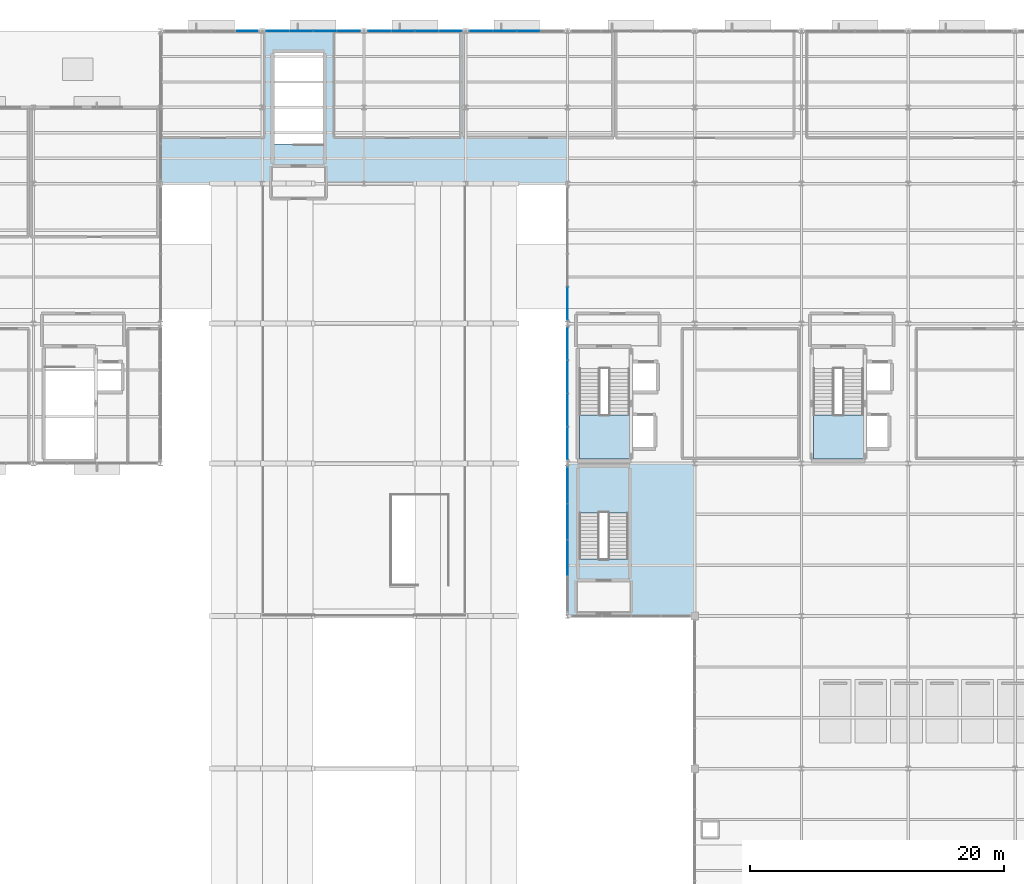
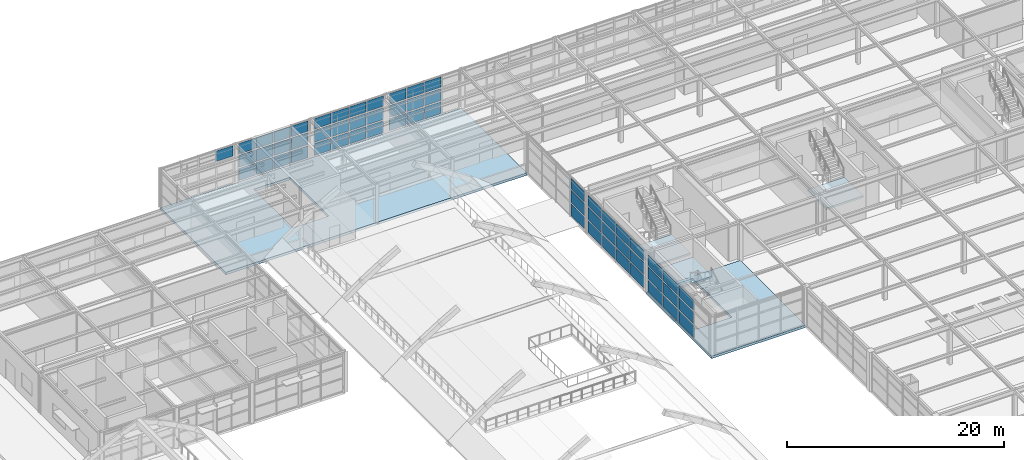
# One storey, part 50 of 82: 58 plates, 5 slabs, 10 elements without a shape of their own.
"""IFC4 building model written with IfcOpenShell, lengths in metres."""

from ifc_helpers import new_model, si_unit, direction, frame, origin, origin_2d, place, context, subcontext, project, spatial, polyline, rectangle, outline, extrude, material, layer, layer_set, type_object, element, aggregate, save


model = new_model("IFC4")

# Units and contexts
model_context = context("Model", 3, precision=1e-05, world=origin(), true_north=direction((0.0, 1.0)))
body_context = subcontext(model_context, "Body", "Model", "MODEL_VIEW")
ifc_project = project(units=[si_unit("LENGTHUNIT", "METRE"), si_unit("AREAUNIT", "SQUARE_METRE"), si_unit("VOLUMEUNIT", "CUBIC_METRE"), si_unit("PLANEANGLEUNIT", "RADIAN"), si_unit("MASSUNIT", "GRAM", prefix="KILO")], contexts=[model_context])

# Site, building, storey
site_placement = place(None, origin())
site = spatial("IfcSite", under=ifc_project, at=site_placement, CompositionType="ELEMENT")
building_placement = place(site_placement, origin())
building = spatial("IfcBuilding", under=site, at=building_placement, Name="Sitalva Quay Ferry Terminal", CompositionType="ELEMENT")
storey_placement = place(building_placement, frame((0.0, 0.0, 5.39990234375)))
storey = spatial("IfcBuildingStorey", under=building, at=storey_placement, Name="L02", CompositionType="ELEMENT", Elevation=5.39990234375)

# Curtain wall, plates
ifc_material_1 = material(Name="Anodised Aluminium & Low-E Glazing", Category="aluminium")
ifc_layer_1 = layer(ifc_material_1, 0.159912109375)
ifc_layer_set_1 = layer_set([ifc_layer_1], Name="Anodised Aluminium & Low-E Glazing")
curtain_wall_type_1 = type_object("IfcCurtainWallType", Name="CW_Podium_Stick", PredefinedType="USERDEFINED", material=ifc_layer_set_1)
curtain_wall_1_placement = place(storey_placement, origin())
curtain_wall_1 = element("IfcCurtainWall", 1, at=curtain_wall_1_placement, inside=storey, type_object=curtain_wall_type_1, Name="L02 spine west clerestory over V1 eaves (CW-L02-085)", ObjectType="CURTAIN_WALL", PredefinedType="USERDEFINED")
ifc_material_2 = material(Name="Laminated Low-E Double Glazing", Category="glass")
ifc_layer_2 = layer(ifc_material_2, 0.028076171875)
ifc_layer_set_2 = layer_set([ifc_layer_2], Name="Laminated Low-E Double Glazing")
plate_type_1 = type_object("IfcPlateType", Name="Panel_LowE_IGU_28", PredefinedType="CURTAIN_PANEL", material=ifc_layer_set_2)
plate_1_placement = place(storey_placement, frame((74.0, 70.580078125, 0.1552734375), z_axis=(0.0, 0.0, 1.0), x_axis=(0.0, 1.0, 0.0)))
plate_1 = element("IfcPlate", 2, at=plate_1_placement, type_object=plate_type_1, Name="CW-L02-085-P1-0", PredefinedType="CURTAIN_PANEL", context=body_context, shape_type="SweptSolid", body=[
    extrude(rectangle(XDim=2.764892578125, YDim=0.028076171875, at=origin_2d()), origin(), (0.0, 0.0, 1.0), 1.344970703125),
])
plate_2_placement = place(storey_placement, frame((74.0, 70.580078125, 1.6552734375), z_axis=(0.0, 0.0, 1.0), x_axis=(0.0, 1.0, 0.0)))
plate_2 = element("IfcPlate", 3, at=plate_2_placement, type_object=plate_type_1, Name="CW-L02-085-P1-1", PredefinedType="CURTAIN_PANEL", context=body_context, shape_type="SweptSolid", body=[
    extrude(rectangle(XDim=2.764892578125, YDim=0.028076171875, at=origin_2d()), origin(), (0.0, 0.0, 1.0), 1.344970703125),
])
plate_3_placement = place(storey_placement, frame((74.0, 70.580078125, 3.155029296875), z_axis=(0.0, 0.0, 1.0), x_axis=(0.0, 1.0, 0.0)))
plate_3 = element("IfcPlate", 4, at=plate_3_placement, type_object=plate_type_1, Name="CW-L02-085-P1-2", PredefinedType="CURTAIN_PANEL", context=body_context, shape_type="SweptSolid", body=[
    extrude(rectangle(XDim=2.764892578125, YDim=0.028076171875, at=origin_2d()), origin(), (0.0, 0.0, 1.0), 1.18994140625),
])
plate_4_placement = place(storey_placement, frame((74.0, 73.419921875, 0.1552734375), z_axis=(0.0, 0.0, 1.0), x_axis=(0.0, 1.0, 0.0)))
plate_4 = element("IfcPlate", 5, at=plate_4_placement, type_object=plate_type_1, Name="CW-L02-085-P2-0", PredefinedType="CURTAIN_PANEL", context=body_context, shape_type="SweptSolid", body=[
    extrude(rectangle(XDim=2.764892578125, YDim=0.028076171875, at=origin_2d()), origin(), (0.0, 0.0, 1.0), 1.344970703125),
])
plate_5_placement = place(storey_placement, frame((74.0, 73.419921875, 1.6552734375), z_axis=(0.0, 0.0, 1.0), x_axis=(0.0, 1.0, 0.0)))
plate_5 = element("IfcPlate", 6, at=plate_5_placement, type_object=plate_type_1, Name="CW-L02-085-P2-1", PredefinedType="CURTAIN_PANEL", context=body_context, shape_type="SweptSolid", body=[
    extrude(rectangle(XDim=2.764892578125, YDim=0.028076171875, at=origin_2d()), origin(), (0.0, 0.0, 1.0), 1.344970703125),
])
plate_6_placement = place(storey_placement, frame((74.0, 73.419921875, 3.155029296875), z_axis=(0.0, 0.0, 1.0), x_axis=(0.0, 1.0, 0.0)))
plate_6 = element("IfcPlate", 7, at=plate_6_placement, type_object=plate_type_1, Name="CW-L02-085-P2-2", PredefinedType="CURTAIN_PANEL", context=body_context, shape_type="SweptSolid", body=[
    extrude(rectangle(XDim=2.764892578125, YDim=0.028076171875, at=origin_2d()), origin(), (0.0, 0.0, 1.0), 1.18994140625),
])
plate_7_placement = place(storey_placement, frame((74.0, 76.260009765625, 0.1552734375), z_axis=(0.0, 0.0, 1.0), x_axis=(0.0, 1.0, 0.0)))
plate_7 = element("IfcPlate", 8, at=plate_7_placement, type_object=plate_type_1, Name="CW-L02-085-P3-0", PredefinedType="CURTAIN_PANEL", context=body_context, shape_type="SweptSolid", body=[
    extrude(rectangle(XDim=2.764892578125, YDim=0.028076171875, at=origin_2d()), origin(), (0.0, 0.0, 1.0), 1.344970703125),
])
plate_8_placement = place(storey_placement, frame((74.0, 76.260009765625, 1.6552734375), z_axis=(0.0, 0.0, 1.0), x_axis=(0.0, 1.0, 0.0)))
plate_8 = element("IfcPlate", 9, at=plate_8_placement, type_object=plate_type_1, Name="CW-L02-085-P3-1", PredefinedType="CURTAIN_PANEL", context=body_context, shape_type="SweptSolid", body=[
    extrude(rectangle(XDim=2.764892578125, YDim=0.028076171875, at=origin_2d()), origin(), (0.0, 0.0, 1.0), 1.344970703125),
])
plate_9_placement = place(storey_placement, frame((74.0, 76.260009765625, 3.155029296875), z_axis=(0.0, 0.0, 1.0), x_axis=(0.0, 1.0, 0.0)))
plate_9 = element("IfcPlate", 10, at=plate_9_placement, type_object=plate_type_1, Name="CW-L02-085-P3-2", PredefinedType="CURTAIN_PANEL", context=body_context, shape_type="SweptSolid", body=[
    extrude(rectangle(XDim=2.764892578125, YDim=0.028076171875, at=origin_2d()), origin(), (0.0, 0.0, 1.0), 1.18994140625),
])
aggregate(curtain_wall_1, [plate_1, plate_2, plate_3, plate_4, plate_5, plate_6, plate_7, plate_8, plate_9])

ifc_material_3 = material(Name="Anodised Aluminium & Low-E Glazing", Category="aluminium")
ifc_layer_3 = layer(ifc_material_3, 0.159912109375)
ifc_layer_set_3 = layer_set([ifc_layer_3], Name="Anodised Aluminium & Low-E Glazing")
curtain_wall_type_2 = type_object("IfcCurtainWallType", Name="CW_Office_Unitised", PredefinedType="USERDEFINED", material=ifc_layer_set_3)
curtain_wall_2_placement = place(storey_placement, origin())
curtain_wall_2 = element("IfcCurtainWall", 11, at=curtain_wall_2_placement, inside=storey, type_object=curtain_wall_type_2, Name="L02 east wing west glazing overlooking V1 (CW-L02-110)", ObjectType="CURTAIN_WALL", PredefinedType="USERDEFINED")
ifc_material_4 = material(Name="Solar-Control Low-E Glazing", Category="glass")
ifc_layer_4 = layer(ifc_material_4, 0.031982421875)
ifc_layer_set_4 = layer_set([ifc_layer_4], Name="Solar-Control Low-E Glazing")
plate_type_2 = type_object("IfcPlateType", Name="Panel_Solar_IGU_32", PredefinedType="CURTAIN_PANEL", material=ifc_layer_set_4)
plate_10_placement = place(storey_placement, frame((74.0, 79.5849609375, 0.150146484375), z_axis=(0.0, 0.0, 1.0), x_axis=(0.0, 1.0, 0.0)))
plate_10 = element("IfcPlate", 12, at=plate_10_placement, type_object=plate_type_2, Name="CW-L02-110-P0-0", PredefinedType="CURTAIN_PANEL", context=body_context, shape_type="SweptSolid", body=[
    extrude(rectangle(XDim=2.534912109375, YDim=0.031982421875, at=origin_2d()), origin(), (0.0, 0.0, 1.0), 1.35009765625),
])
plate_11_placement = place(storey_placement, frame((74.0, 79.5849609375, 1.650146484375), z_axis=(0.0, 0.0, 1.0), x_axis=(0.0, 1.0, 0.0)))
plate_11 = element("IfcPlate", 13, at=plate_11_placement, type_object=plate_type_2, Name="CW-L02-110-P0-1", PredefinedType="CURTAIN_PANEL", context=body_context, shape_type="SweptSolid", body=[
    extrude(rectangle(XDim=2.534912109375, YDim=0.031982421875, at=origin_2d()), origin(), (0.0, 0.0, 1.0), 1.35009765625),
])
plate_12_placement = place(storey_placement, frame((74.0, 79.5849609375, 3.14990234375), z_axis=(0.0, 0.0, 1.0), x_axis=(0.0, 1.0, 0.0)))
plate_12 = element("IfcPlate", 14, at=plate_12_placement, type_object=plate_type_2, Name="CW-L02-110-P0-2", PredefinedType="CURTAIN_PANEL", context=body_context, shape_type="SweptSolid", body=[
    extrude(rectangle(XDim=2.534912109375, YDim=0.031982421875, at=origin_2d()), origin(), (0.0, 0.0, 1.0), 1.199951171875),
])
plate_13_placement = place(storey_placement, frame((74.0, 82.195068359375, 0.150146484375), z_axis=(0.0, 0.0, 1.0), x_axis=(0.0, 1.0, 0.0)))
plate_13 = element("IfcPlate", 15, at=plate_13_placement, type_object=plate_type_2, Name="CW-L02-110-P1-0", PredefinedType="CURTAIN_PANEL", context=body_context, shape_type="SweptSolid", body=[
    extrude(rectangle(XDim=2.534912109375, YDim=0.031982421875, at=origin_2d()), origin(), (0.0, 0.0, 1.0), 1.35009765625),
])
plate_14_placement = place(storey_placement, frame((74.0, 82.195068359375, 1.650146484375), z_axis=(0.0, 0.0, 1.0), x_axis=(0.0, 1.0, 0.0)))
plate_14 = element("IfcPlate", 16, at=plate_14_placement, type_object=plate_type_2, Name="CW-L02-110-P1-1", PredefinedType="CURTAIN_PANEL", context=body_context, shape_type="SweptSolid", body=[
    extrude(rectangle(XDim=2.534912109375, YDim=0.031982421875, at=origin_2d()), origin(), (0.0, 0.0, 1.0), 1.35009765625),
])
plate_15_placement = place(storey_placement, frame((74.0, 82.195068359375, 3.14990234375), z_axis=(0.0, 0.0, 1.0), x_axis=(0.0, 1.0, 0.0)))
plate_15 = element("IfcPlate", 17, at=plate_15_placement, type_object=plate_type_2, Name="CW-L02-110-P1-2", PredefinedType="CURTAIN_PANEL", context=body_context, shape_type="SweptSolid", body=[
    extrude(rectangle(XDim=2.534912109375, YDim=0.031982421875, at=origin_2d()), origin(), (0.0, 0.0, 1.0), 1.199951171875),
])
plate_16_placement = place(storey_placement, frame((74.0, 84.804931640625, 0.150146484375), z_axis=(0.0, 0.0, 1.0), x_axis=(0.0, 1.0, 0.0)))
plate_16 = element("IfcPlate", 18, at=plate_16_placement, type_object=plate_type_2, Name="CW-L02-110-P2-0", PredefinedType="CURTAIN_PANEL", context=body_context, shape_type="SweptSolid", body=[
    extrude(rectangle(XDim=2.534912109375, YDim=0.031982421875, at=origin_2d()), origin(), (0.0, 0.0, 1.0), 1.35009765625),
])
plate_17_placement = place(storey_placement, frame((74.0, 84.804931640625, 1.650146484375), z_axis=(0.0, 0.0, 1.0), x_axis=(0.0, 1.0, 0.0)))
plate_17 = element("IfcPlate", 19, at=plate_17_placement, type_object=plate_type_2, Name="CW-L02-110-P2-1", PredefinedType="CURTAIN_PANEL", context=body_context, shape_type="SweptSolid", body=[
    extrude(rectangle(XDim=2.534912109375, YDim=0.031982421875, at=origin_2d()), origin(), (0.0, 0.0, 1.0), 1.35009765625),
])
plate_18_placement = place(storey_placement, frame((74.0, 84.804931640625, 3.14990234375), z_axis=(0.0, 0.0, 1.0), x_axis=(0.0, 1.0, 0.0)))
plate_18 = element("IfcPlate", 20, at=plate_18_placement, type_object=plate_type_2, Name="CW-L02-110-P2-2", PredefinedType="CURTAIN_PANEL", context=body_context, shape_type="SweptSolid", body=[
    extrude(rectangle(XDim=2.534912109375, YDim=0.031982421875, at=origin_2d()), origin(), (0.0, 0.0, 1.0), 1.199951171875),
])
plate_19_placement = place(storey_placement, frame((74.0, 87.4150390625, 0.150146484375), z_axis=(0.0, 0.0, 1.0), x_axis=(0.0, 1.0, 0.0)))
plate_19 = element("IfcPlate", 21, at=plate_19_placement, type_object=plate_type_2, Name="CW-L02-110-P3-0", PredefinedType="CURTAIN_PANEL", context=body_context, shape_type="SweptSolid", body=[
    extrude(rectangle(XDim=2.534912109375, YDim=0.031982421875, at=origin_2d()), origin(), (0.0, 0.0, 1.0), 1.35009765625),
])
plate_20_placement = place(storey_placement, frame((74.0, 87.4150390625, 1.650146484375), z_axis=(0.0, 0.0, 1.0), x_axis=(0.0, 1.0, 0.0)))
plate_20 = element("IfcPlate", 22, at=plate_20_placement, type_object=plate_type_2, Name="CW-L02-110-P3-1", PredefinedType="CURTAIN_PANEL", context=body_context, shape_type="SweptSolid", body=[
    extrude(rectangle(XDim=2.534912109375, YDim=0.031982421875, at=origin_2d()), origin(), (0.0, 0.0, 1.0), 1.35009765625),
])
plate_21_placement = place(storey_placement, frame((74.0, 87.4150390625, 3.14990234375), z_axis=(0.0, 0.0, 1.0), x_axis=(0.0, 1.0, 0.0)))
plate_21 = element("IfcPlate", 23, at=plate_21_placement, type_object=plate_type_2, Name="CW-L02-110-P3-2", PredefinedType="CURTAIN_PANEL", context=body_context, shape_type="SweptSolid", body=[
    extrude(rectangle(XDim=2.534912109375, YDim=0.031982421875, at=origin_2d()), origin(), (0.0, 0.0, 1.0), 1.199951171875),
])
aggregate(curtain_wall_2, [plate_10, plate_11, plate_12, plate_13, plate_14, plate_15, plate_16, plate_17, plate_18, plate_19, plate_20, plate_21])

curtain_wall_3_placement = place(storey_placement, origin())
curtain_wall_3 = element("IfcCurtainWall", 24, at=curtain_wall_3_placement, inside=storey, type_object=curtain_wall_type_2, Name="L02 east wing west glazing overlooking V1 (CW-L02-112)", ObjectType="CURTAIN_WALL", PredefinedType="USERDEFINED")
plate_22_placement = place(storey_placement, frame((74.0, 90.5849609375, 0.150146484375), z_axis=(0.0, 0.0, 1.0), x_axis=(0.0, 1.0, 0.0)))
plate_22 = element("IfcPlate", 25, at=plate_22_placement, type_object=plate_type_2, Name="CW-L02-112-P0-0", PredefinedType="CURTAIN_PANEL", context=body_context, shape_type="SweptSolid", body=[
    extrude(rectangle(XDim=2.534912109375, YDim=0.031982421875, at=origin_2d()), origin(), (0.0, 0.0, 1.0), 1.35009765625),
])
plate_23_placement = place(storey_placement, frame((74.0, 90.5849609375, 1.650146484375), z_axis=(0.0, 0.0, 1.0), x_axis=(0.0, 1.0, 0.0)))
plate_23 = element("IfcPlate", 26, at=plate_23_placement, type_object=plate_type_2, Name="CW-L02-112-P0-1", PredefinedType="CURTAIN_PANEL", context=body_context, shape_type="SweptSolid", body=[
    extrude(rectangle(XDim=2.534912109375, YDim=0.031982421875, at=origin_2d()), origin(), (0.0, 0.0, 1.0), 1.35009765625),
])
plate_24_placement = place(storey_placement, frame((74.0, 90.5849609375, 3.14990234375), z_axis=(0.0, 0.0, 1.0), x_axis=(0.0, 1.0, 0.0)))
plate_24 = element("IfcPlate", 27, at=plate_24_placement, type_object=plate_type_2, Name="CW-L02-112-P0-2", PredefinedType="CURTAIN_PANEL", context=body_context, shape_type="SweptSolid", body=[
    extrude(rectangle(XDim=2.534912109375, YDim=0.031982421875, at=origin_2d()), origin(), (0.0, 0.0, 1.0), 1.199951171875),
])
aggregate(curtain_wall_3, [plate_22, plate_23, plate_24])

# Curtain wall, plate
curtain_wall_4_placement = place(storey_placement, origin())
curtain_wall_4 = element("IfcCurtainWall", 28, at=curtain_wall_4_placement, inside=storey, type_object=curtain_wall_type_2, Name="L02 forecourt horizontal curtain wall (CW-L02-115)", ObjectType="CURTAIN_WALL", PredefinedType="USERDEFINED")
plate_25_placement = place(storey_placement, frame((48.7900390625, 112.0, 3.11669921875), z_axis=(0.0, 0.0, 1.0), x_axis=(1.0, 0.0, 0.0)))
plate_25 = element("IfcPlate", 29, at=plate_25_placement, type_object=plate_type_2, Name="CW-L02-115-P3-2", PredefinedType="CURTAIN_PANEL", context=body_context, shape_type="SweptSolid", body=[
    extrude(rectangle(XDim=1.784912109375, YDim=0.031982421875, at=origin_2d()), origin(), (0.0, 0.0, 1.0), 1.183349609375),
])
aggregate(curtain_wall_4, [plate_25])

# Curtain wall, plates
curtain_wall_5_placement = place(storey_placement, origin())
curtain_wall_5 = element("IfcCurtainWall", 30, at=curtain_wall_5_placement, inside=storey, type_object=curtain_wall_type_2, Name="L02 forecourt horizontal curtain wall (CW-L02-116)", ObjectType="CURTAIN_WALL", PredefinedType="USERDEFINED")
plate_26_placement = place(storey_placement, frame((51.2099609375, 112.0, 1.63330078125), z_axis=(0.0, 0.0, 1.0), x_axis=(1.0, 0.0, 0.0)))
plate_26 = element("IfcPlate", 31, at=plate_26_placement, type_object=plate_type_2, Name="CW-L02-116-P0-1", PredefinedType="CURTAIN_PANEL", context=body_context, shape_type="SweptSolid", body=[
    extrude(rectangle(XDim=1.784912109375, YDim=0.031982421875, at=origin_2d()), origin(), (0.0, 0.0, 1.0), 1.333251953125),
])
plate_27_placement = place(storey_placement, frame((51.2099609375, 112.0, 3.11669921875), z_axis=(0.0, 0.0, 1.0), x_axis=(1.0, 0.0, 0.0)))
plate_27 = element("IfcPlate", 32, at=plate_27_placement, type_object=plate_type_2, Name="CW-L02-116-P0-2", PredefinedType="CURTAIN_PANEL", context=body_context, shape_type="SweptSolid", body=[
    extrude(rectangle(XDim=1.784912109375, YDim=0.031982421875, at=origin_2d()), origin(), (0.0, 0.0, 1.0), 1.183349609375),
])
plate_28_placement = place(storey_placement, frame((53.070068359375, 112.0, 1.63330078125), z_axis=(0.0, 0.0, 1.0), x_axis=(1.0, 0.0, 0.0)))
plate_28 = element("IfcPlate", 33, at=plate_28_placement, type_object=plate_type_2, Name="CW-L02-116-P1-1", PredefinedType="CURTAIN_PANEL", context=body_context, shape_type="SweptSolid", body=[
    extrude(rectangle(XDim=1.784912109375, YDim=0.031982421875, at=origin_2d()), origin(), (0.0, 0.0, 1.0), 1.333251953125),
])
plate_29_placement = place(storey_placement, frame((53.070068359375, 112.0, 3.11669921875), z_axis=(0.0, 0.0, 1.0), x_axis=(1.0, 0.0, 0.0)))
plate_29 = element("IfcPlate", 34, at=plate_29_placement, type_object=plate_type_2, Name="CW-L02-116-P1-2", PredefinedType="CURTAIN_PANEL", context=body_context, shape_type="SweptSolid", body=[
    extrude(rectangle(XDim=1.784912109375, YDim=0.031982421875, at=origin_2d()), origin(), (0.0, 0.0, 1.0), 1.183349609375),
])
plate_30_placement = place(storey_placement, frame((54.929931640625, 112.0, 1.63330078125), z_axis=(0.0, 0.0, 1.0), x_axis=(1.0, 0.0, 0.0)))
plate_30 = element("IfcPlate", 35, at=plate_30_placement, type_object=plate_type_2, Name="CW-L02-116-P2-1", PredefinedType="CURTAIN_PANEL", context=body_context, shape_type="SweptSolid", body=[
    extrude(rectangle(XDim=1.784912109375, YDim=0.031982421875, at=origin_2d()), origin(), (0.0, 0.0, 1.0), 1.333251953125),
])
plate_31_placement = place(storey_placement, frame((54.929931640625, 112.0, 3.11669921875), z_axis=(0.0, 0.0, 1.0), x_axis=(1.0, 0.0, 0.0)))
plate_31 = element("IfcPlate", 36, at=plate_31_placement, type_object=plate_type_2, Name="CW-L02-116-P2-2", PredefinedType="CURTAIN_PANEL", context=body_context, shape_type="SweptSolid", body=[
    extrude(rectangle(XDim=1.784912109375, YDim=0.031982421875, at=origin_2d()), origin(), (0.0, 0.0, 1.0), 1.183349609375),
])
plate_32_placement = place(storey_placement, frame((56.7900390625, 112.0, 1.63330078125), z_axis=(0.0, 0.0, 1.0), x_axis=(1.0, 0.0, 0.0)))
plate_32 = element("IfcPlate", 37, at=plate_32_placement, type_object=plate_type_2, Name="CW-L02-116-P3-1", PredefinedType="CURTAIN_PANEL", context=body_context, shape_type="SweptSolid", body=[
    extrude(rectangle(XDim=1.784912109375, YDim=0.031982421875, at=origin_2d()), origin(), (0.0, 0.0, 1.0), 1.333251953125),
])
plate_33_placement = place(storey_placement, frame((56.7900390625, 112.0, 3.11669921875), z_axis=(0.0, 0.0, 1.0), x_axis=(1.0, 0.0, 0.0)))
plate_33 = element("IfcPlate", 38, at=plate_33_placement, type_object=plate_type_2, Name="CW-L02-116-P3-2", PredefinedType="CURTAIN_PANEL", context=body_context, shape_type="SweptSolid", body=[
    extrude(rectangle(XDim=1.784912109375, YDim=0.031982421875, at=origin_2d()), origin(), (0.0, 0.0, 1.0), 1.183349609375),
])

curtain_wall_6_placement = place(storey_placement, origin())
curtain_wall_6 = element("IfcCurtainWall", 39, at=curtain_wall_6_placement, inside=storey, type_object=curtain_wall_type_2, Name="L02 forecourt horizontal curtain wall (CW-L02-117)", ObjectType="CURTAIN_WALL", PredefinedType="USERDEFINED")
plate_34_placement = place(storey_placement, frame((59.2099609375, 112.0, 1.63330078125), z_axis=(0.0, 0.0, 1.0), x_axis=(1.0, 0.0, 0.0)))
plate_34 = element("IfcPlate", 40, at=plate_34_placement, type_object=plate_type_2, Name="CW-L02-117-P0-1", PredefinedType="CURTAIN_PANEL", context=body_context, shape_type="SweptSolid", body=[
    extrude(rectangle(XDim=1.784912109375, YDim=0.031982421875, at=origin_2d()), origin(), (0.0, 0.0, 1.0), 1.333251953125),
])
plate_35_placement = place(storey_placement, frame((59.2099609375, 112.0, 3.11669921875), z_axis=(0.0, 0.0, 1.0), x_axis=(1.0, 0.0, 0.0)))
plate_35 = element("IfcPlate", 41, at=plate_35_placement, type_object=plate_type_2, Name="CW-L02-117-P0-2", PredefinedType="CURTAIN_PANEL", context=body_context, shape_type="SweptSolid", body=[
    extrude(rectangle(XDim=1.784912109375, YDim=0.031982421875, at=origin_2d()), origin(), (0.0, 0.0, 1.0), 1.183349609375),
])
plate_36_placement = place(storey_placement, frame((61.070068359375, 112.0, 1.63330078125), z_axis=(0.0, 0.0, 1.0), x_axis=(1.0, 0.0, 0.0)))
plate_36 = element("IfcPlate", 42, at=plate_36_placement, type_object=plate_type_2, Name="CW-L02-117-P1-1", PredefinedType="CURTAIN_PANEL", context=body_context, shape_type="SweptSolid", body=[
    extrude(rectangle(XDim=1.784912109375, YDim=0.031982421875, at=origin_2d()), origin(), (0.0, 0.0, 1.0), 1.333251953125),
])
plate_37_placement = place(storey_placement, frame((61.070068359375, 112.0, 3.11669921875), z_axis=(0.0, 0.0, 1.0), x_axis=(1.0, 0.0, 0.0)))
plate_37 = element("IfcPlate", 43, at=plate_37_placement, type_object=plate_type_2, Name="CW-L02-117-P1-2", PredefinedType="CURTAIN_PANEL", context=body_context, shape_type="SweptSolid", body=[
    extrude(rectangle(XDim=1.784912109375, YDim=0.031982421875, at=origin_2d()), origin(), (0.0, 0.0, 1.0), 1.183349609375),
])
plate_38_placement = place(storey_placement, frame((62.929931640625, 112.0, 1.63330078125), z_axis=(0.0, 0.0, 1.0), x_axis=(1.0, 0.0, 0.0)))
plate_38 = element("IfcPlate", 44, at=plate_38_placement, type_object=plate_type_2, Name="CW-L02-117-P2-1", PredefinedType="CURTAIN_PANEL", context=body_context, shape_type="SweptSolid", body=[
    extrude(rectangle(XDim=1.784912109375, YDim=0.031982421875, at=origin_2d()), origin(), (0.0, 0.0, 1.0), 1.333251953125),
])
plate_39_placement = place(storey_placement, frame((62.929931640625, 112.0, 3.11669921875), z_axis=(0.0, 0.0, 1.0), x_axis=(1.0, 0.0, 0.0)))
plate_39 = element("IfcPlate", 45, at=plate_39_placement, type_object=plate_type_2, Name="CW-L02-117-P2-2", PredefinedType="CURTAIN_PANEL", context=body_context, shape_type="SweptSolid", body=[
    extrude(rectangle(XDim=1.784912109375, YDim=0.031982421875, at=origin_2d()), origin(), (0.0, 0.0, 1.0), 1.183349609375),
])
plate_40_placement = place(storey_placement, frame((64.7900390625, 112.0, 1.63330078125), z_axis=(0.0, 0.0, 1.0), x_axis=(1.0, 0.0, 0.0)))
plate_40 = element("IfcPlate", 46, at=plate_40_placement, type_object=plate_type_2, Name="CW-L02-117-P3-1", PredefinedType="CURTAIN_PANEL", context=body_context, shape_type="SweptSolid", body=[
    extrude(rectangle(XDim=1.784912109375, YDim=0.031982421875, at=origin_2d()), origin(), (0.0, 0.0, 1.0), 1.333251953125),
])
plate_41_placement = place(storey_placement, frame((64.7900390625, 112.0, 3.11669921875), z_axis=(0.0, 0.0, 1.0), x_axis=(1.0, 0.0, 0.0)))
plate_41 = element("IfcPlate", 47, at=plate_41_placement, type_object=plate_type_2, Name="CW-L02-117-P3-2", PredefinedType="CURTAIN_PANEL", context=body_context, shape_type="SweptSolid", body=[
    extrude(rectangle(XDim=1.784912109375, YDim=0.031982421875, at=origin_2d()), origin(), (0.0, 0.0, 1.0), 1.183349609375),
])

curtain_wall_7_placement = place(storey_placement, origin())
curtain_wall_7 = element("IfcCurtainWall", 48, at=curtain_wall_7_placement, inside=storey, type_object=curtain_wall_type_2, Name="L02 forecourt horizontal curtain wall (CW-L02-118)", ObjectType="CURTAIN_WALL", PredefinedType="USERDEFINED")
plate_42_placement = place(storey_placement, frame((67.2099609375, 112.0, 1.63330078125), z_axis=(0.0, 0.0, 1.0), x_axis=(1.0, 0.0, 0.0)))
plate_42 = element("IfcPlate", 49, at=plate_42_placement, type_object=plate_type_2, Name="CW-L02-118-P0-1", PredefinedType="CURTAIN_PANEL", context=body_context, shape_type="SweptSolid", body=[
    extrude(rectangle(XDim=1.784912109375, YDim=0.031982421875, at=origin_2d()), origin(), (0.0, 0.0, 1.0), 1.333251953125),
])
plate_43_placement = place(storey_placement, frame((67.2099609375, 112.0, 3.11669921875), z_axis=(0.0, 0.0, 1.0), x_axis=(1.0, 0.0, 0.0)))
plate_43 = element("IfcPlate", 50, at=plate_43_placement, type_object=plate_type_2, Name="CW-L02-118-P0-2", PredefinedType="CURTAIN_PANEL", context=body_context, shape_type="SweptSolid", body=[
    extrude(rectangle(XDim=1.784912109375, YDim=0.031982421875, at=origin_2d()), origin(), (0.0, 0.0, 1.0), 1.183349609375),
])
plate_44_placement = place(storey_placement, frame((69.070068359375, 112.0, 1.63330078125), z_axis=(0.0, 0.0, 1.0), x_axis=(1.0, 0.0, 0.0)))
plate_44 = element("IfcPlate", 51, at=plate_44_placement, type_object=plate_type_2, Name="CW-L02-118-P1-1", PredefinedType="CURTAIN_PANEL", context=body_context, shape_type="SweptSolid", body=[
    extrude(rectangle(XDim=1.784912109375, YDim=0.031982421875, at=origin_2d()), origin(), (0.0, 0.0, 1.0), 1.333251953125),
])
plate_45_placement = place(storey_placement, frame((69.070068359375, 112.0, 3.11669921875), z_axis=(0.0, 0.0, 1.0), x_axis=(1.0, 0.0, 0.0)))
plate_45 = element("IfcPlate", 52, at=plate_45_placement, type_object=plate_type_2, Name="CW-L02-118-P1-2", PredefinedType="CURTAIN_PANEL", context=body_context, shape_type="SweptSolid", body=[
    extrude(rectangle(XDim=1.784912109375, YDim=0.031982421875, at=origin_2d()), origin(), (0.0, 0.0, 1.0), 1.183349609375),
])
plate_46_placement = place(storey_placement, frame((70.929931640625, 112.0, 1.63330078125), z_axis=(0.0, 0.0, 1.0), x_axis=(1.0, 0.0, 0.0)))
plate_46 = element("IfcPlate", 53, at=plate_46_placement, type_object=plate_type_2, Name="CW-L02-118-P2-1", PredefinedType="CURTAIN_PANEL", context=body_context, shape_type="SweptSolid", body=[
    extrude(rectangle(XDim=1.784912109375, YDim=0.031982421875, at=origin_2d()), origin(), (0.0, 0.0, 1.0), 1.333251953125),
])
plate_47_placement = place(storey_placement, frame((70.929931640625, 112.0, 3.11669921875), z_axis=(0.0, 0.0, 1.0), x_axis=(1.0, 0.0, 0.0)))
plate_47 = element("IfcPlate", 54, at=plate_47_placement, type_object=plate_type_2, Name="CW-L02-118-P2-2", PredefinedType="CURTAIN_PANEL", context=body_context, shape_type="SweptSolid", body=[
    extrude(rectangle(XDim=1.784912109375, YDim=0.031982421875, at=origin_2d()), origin(), (0.0, 0.0, 1.0), 1.183349609375),
])

# Plate
ifc_material_5 = material(Name="Insulated Spandrel Cassette", Category="aluminium")
ifc_layer_5 = layer(ifc_material_5, 0.0400390625)
ifc_layer_set_5 = layer_set([ifc_layer_5], Name="Insulated Spandrel Cassette")
plate_type_3 = type_object("IfcPlateType", Name="Panel_Spandrel_Alu_40", PredefinedType="CURTAIN_PANEL", material=ifc_layer_set_5)
plate_48_placement = place(storey_placement, frame((51.2099609375, 112.0, 0.14990234375), z_axis=(0.0, 0.0, 1.0), x_axis=(1.0, 0.0, 0.0)))
plate_48 = element("IfcPlate", 55, at=plate_48_placement, type_object=plate_type_3, Name="CW-L02-116-P0-0", PredefinedType="CURTAIN_PANEL", context=body_context, shape_type="SweptSolid", body=[
    extrude(rectangle(XDim=1.784912109375, YDim=0.0400390625, at=origin_2d()), origin(), (0.0, 0.0, 1.0), 1.333251953125),
])

plate_49_placement = place(storey_placement, frame((53.070068359375, 112.0, 0.14990234375), z_axis=(0.0, 0.0, 1.0), x_axis=(1.0, 0.0, 0.0)))
plate_49 = element("IfcPlate", 56, at=plate_49_placement, type_object=plate_type_3, Name="CW-L02-116-P1-0", PredefinedType="CURTAIN_PANEL", context=body_context, shape_type="SweptSolid", body=[
    extrude(rectangle(XDim=1.784912109375, YDim=0.0400390625, at=origin_2d()), origin(), (0.0, 0.0, 1.0), 1.333251953125),
])

plate_50_placement = place(storey_placement, frame((54.929931640625, 112.0, 0.14990234375), z_axis=(0.0, 0.0, 1.0), x_axis=(1.0, 0.0, 0.0)))
plate_50 = element("IfcPlate", 57, at=plate_50_placement, type_object=plate_type_3, Name="CW-L02-116-P2-0", PredefinedType="CURTAIN_PANEL", context=body_context, shape_type="SweptSolid", body=[
    extrude(rectangle(XDim=1.784912109375, YDim=0.0400390625, at=origin_2d()), origin(), (0.0, 0.0, 1.0), 1.333251953125),
])

plate_51_placement = place(storey_placement, frame((56.7900390625, 112.0, 0.14990234375), z_axis=(0.0, 0.0, 1.0), x_axis=(1.0, 0.0, 0.0)))
plate_51 = element("IfcPlate", 58, at=plate_51_placement, type_object=plate_type_3, Name="CW-L02-116-P3-0", PredefinedType="CURTAIN_PANEL", context=body_context, shape_type="SweptSolid", body=[
    extrude(rectangle(XDim=1.784912109375, YDim=0.0400390625, at=origin_2d()), origin(), (0.0, 0.0, 1.0), 1.333251953125),
])

aggregate(curtain_wall_5, [plate_48, plate_26, plate_27, plate_49, plate_28, plate_29, plate_50, plate_30, plate_31, plate_51, plate_32, plate_33])

plate_52_placement = place(storey_placement, frame((59.2099609375, 112.0, 0.14990234375), z_axis=(0.0, 0.0, 1.0), x_axis=(1.0, 0.0, 0.0)))
plate_52 = element("IfcPlate", 59, at=plate_52_placement, type_object=plate_type_3, Name="CW-L02-117-P0-0", PredefinedType="CURTAIN_PANEL", context=body_context, shape_type="SweptSolid", body=[
    extrude(rectangle(XDim=1.784912109375, YDim=0.0400390625, at=origin_2d()), origin(), (0.0, 0.0, 1.0), 1.333251953125),
])

plate_53_placement = place(storey_placement, frame((61.070068359375, 112.0, 0.14990234375), z_axis=(0.0, 0.0, 1.0), x_axis=(1.0, 0.0, 0.0)))
plate_53 = element("IfcPlate", 60, at=plate_53_placement, type_object=plate_type_3, Name="CW-L02-117-P1-0", PredefinedType="CURTAIN_PANEL", context=body_context, shape_type="SweptSolid", body=[
    extrude(rectangle(XDim=1.784912109375, YDim=0.0400390625, at=origin_2d()), origin(), (0.0, 0.0, 1.0), 1.333251953125),
])

plate_54_placement = place(storey_placement, frame((62.929931640625, 112.0, 0.14990234375), z_axis=(0.0, 0.0, 1.0), x_axis=(1.0, 0.0, 0.0)))
plate_54 = element("IfcPlate", 61, at=plate_54_placement, type_object=plate_type_3, Name="CW-L02-117-P2-0", PredefinedType="CURTAIN_PANEL", context=body_context, shape_type="SweptSolid", body=[
    extrude(rectangle(XDim=1.784912109375, YDim=0.0400390625, at=origin_2d()), origin(), (0.0, 0.0, 1.0), 1.333251953125),
])

plate_55_placement = place(storey_placement, frame((64.7900390625, 112.0, 0.14990234375), z_axis=(0.0, 0.0, 1.0), x_axis=(1.0, 0.0, 0.0)))
plate_55 = element("IfcPlate", 62, at=plate_55_placement, type_object=plate_type_3, Name="CW-L02-117-P3-0", PredefinedType="CURTAIN_PANEL", context=body_context, shape_type="SweptSolid", body=[
    extrude(rectangle(XDim=1.784912109375, YDim=0.0400390625, at=origin_2d()), origin(), (0.0, 0.0, 1.0), 1.333251953125),
])

aggregate(curtain_wall_6, [plate_52, plate_34, plate_35, plate_53, plate_36, plate_37, plate_54, plate_38, plate_39, plate_55, plate_40, plate_41])

plate_56_placement = place(storey_placement, frame((67.2099609375, 112.0, 0.14990234375), z_axis=(0.0, 0.0, 1.0), x_axis=(1.0, 0.0, 0.0)))
plate_56 = element("IfcPlate", 63, at=plate_56_placement, type_object=plate_type_3, Name="CW-L02-118-P0-0", PredefinedType="CURTAIN_PANEL", context=body_context, shape_type="SweptSolid", body=[
    extrude(rectangle(XDim=1.784912109375, YDim=0.0400390625, at=origin_2d()), origin(), (0.0, 0.0, 1.0), 1.333251953125),
])

plate_57_placement = place(storey_placement, frame((69.070068359375, 112.0, 0.14990234375), z_axis=(0.0, 0.0, 1.0), x_axis=(1.0, 0.0, 0.0)))
plate_57 = element("IfcPlate", 64, at=plate_57_placement, type_object=plate_type_3, Name="CW-L02-118-P1-0", PredefinedType="CURTAIN_PANEL", context=body_context, shape_type="SweptSolid", body=[
    extrude(rectangle(XDim=1.784912109375, YDim=0.0400390625, at=origin_2d()), origin(), (0.0, 0.0, 1.0), 1.333251953125),
])

plate_58_placement = place(storey_placement, frame((70.929931640625, 112.0, 0.14990234375), z_axis=(0.0, 0.0, 1.0), x_axis=(1.0, 0.0, 0.0)))
plate_58 = element("IfcPlate", 65, at=plate_58_placement, type_object=plate_type_3, Name="CW-L02-118-P2-0", PredefinedType="CURTAIN_PANEL", context=body_context, shape_type="SweptSolid", body=[
    extrude(rectangle(XDim=1.784912109375, YDim=0.0400390625, at=origin_2d()), origin(), (0.0, 0.0, 1.0), 1.333251953125),
])

aggregate(curtain_wall_7, [plate_56, plate_42, plate_43, plate_57, plate_44, plate_45, plate_58, plate_46, plate_47])

# Slabs
ifc_material_6 = material(Name="Concrete C35/45", Category="concrete")
ifc_layer_6 = layer(ifc_material_6, 0.280029296875)
ifc_layer_set_6 = layer_set([ifc_layer_6], Name="Concrete C35/45")
slab_type_1 = type_object("IfcSlabType", Name="Slab_Concourse_280", PredefinedType="FLOOR", material=ifc_layer_set_6)
slab_1_placement = place(storey_placement, frame((0.0, 0.0, -0.27978515625)))
element("IfcSlab", 66, at=slab_1_placement, inside=storey, type_object=slab_type_1, Name="L02 North transition spine L02 037", PredefinedType="FLOOR", context=body_context, shape_type="SweptSolid", body=[
    extrude(outline(polyline([(74.0, 66.0), (84.0, 66.0), (84.0, 78.0), (74.0, 78.0), (74.0, 66.0)]), holes=[polyline([(74.93994140625, 70.5), (74.93994140625, 77.659912109375), (78.760009765625, 77.659912109375), (78.760009765625, 70.5), (74.93994140625, 70.5)])]), origin(), (0.0, 0.0, 1.0), 0.27978515625),
])
slab_2_placement = place(storey_placement, frame((0.0, 0.0, -0.27978515625)))
element("IfcSlab", 67, at=slab_2_placement, inside=storey, type_object=slab_type_1, Name="L02 North wing L02 central arrival hall 048", PredefinedType="FLOOR", context=body_context, shape_type="SweptSolid", body=[
    extrude(outline(polyline([(42.0, 100.0), (74.0, 100.0), (74.0, 112.0), (42.0, 112.0), (42.0, 100.0)]), holes=[polyline([(50.93994140625, 103.10009765625), (50.93994140625, 110.260009765625), (54.760009765625, 110.260009765625), (54.760009765625, 103.10009765625), (50.93994140625, 103.10009765625)])]), origin(), (0.0, 0.0, 1.0), 0.27978515625),
])

# Stair, slab
ifc_material_7 = material(Name="Concrete C35/45", Category="concrete")
stair_type_1 = type_object("IfcStairType", Name="Stair_CoreDogLeg_1500", PredefinedType="HALF_TURN_STAIR", material=ifc_material_7)
stair_1_placement = place(storey_placement, origin())
stair_1 = element("IfcStair", 68, at=stair_1_placement, inside=storey, type_object=stair_type_1, Name="L02 Core C1 stair ST-01", PredefinedType="HALF_TURN_STAIR")
ifc_material_8 = material(Name="Concrete C35/45", Category="concrete")
ifc_layer_7 = layer(ifc_material_8, 0.199951171875)
ifc_layer_set_7 = layer_set([ifc_layer_7], Name="Concrete C35/45")
slab_type_2 = type_object("IfcSlabType", Name="Slab_StairLanding_200", PredefinedType="LANDING", material=ifc_layer_set_7)
slab_3_placement = place(storey_placement, frame((0.0, 0.0, 2.2001953125)))
slab_3 = element("IfcSlab", 69, at=slab_3_placement, type_object=slab_type_2, Name="ST-01 landing 1", PredefinedType="LANDING", context=body_context, shape_type="SweptSolid", body=[
    extrude(outline(polyline([(74.929931640625, 81.81005859375), (74.929931640625, 78.330078125), (78.8701171875, 78.330078125), (78.8701171875, 81.81005859375), (74.929931640625, 81.81005859375)])), origin(), (0.0, 0.0, 1.0), 0.199951171875),
])
aggregate(stair_1, [slab_3])

stair_2_placement = place(storey_placement, origin())
stair_2 = element("IfcStair", 70, at=stair_2_placement, inside=storey, type_object=stair_type_1, Name="L02 Core C2 stair ST-02", PredefinedType="HALF_TURN_STAIR")
slab_4_placement = place(storey_placement, frame((0.0, 0.0, 2.2001953125)))
slab_4 = element("IfcSlab", 71, at=slab_4_placement, type_object=slab_type_2, Name="ST-02 landing 1", PredefinedType="LANDING", context=body_context, shape_type="SweptSolid", body=[
    extrude(outline(polyline([(93.330078125, 81.81005859375), (93.330078125, 78.330078125), (97.27001953125, 78.330078125), (97.27001953125, 81.81005859375), (93.330078125, 81.81005859375)])), origin(), (0.0, 0.0, 1.0), 0.199951171875),
])
aggregate(stair_2, [slab_4])

ifc_material_9 = material(Name="Concrete C35/45", Category="concrete")
stair_type_2 = type_object("IfcStairType", Name="Stair_CoreDogLeg_1400", PredefinedType="HALF_TURN_STAIR", material=ifc_material_9)
stair_3_placement = place(storey_placement, origin())
stair_3 = element("IfcStair", 72, at=stair_3_placement, inside=storey, type_object=stair_type_2, Name="L02 Core C11 stair ST-13", PredefinedType="HALF_TURN_STAIR")
slab_5_placement = place(storey_placement, frame((0.0, 0.0, 2.2001953125)))
slab_5 = element("IfcSlab", 73, at=slab_5_placement, type_object=slab_type_2, Name="ST-13 landing 1", PredefinedType="LANDING", context=body_context, shape_type="SweptSolid", body=[
    extrude(outline(polyline([(78.780029296875, 74.1201171875), (78.780029296875, 77.679931640625), (74.919921875, 77.679931640625), (74.919921875, 74.1201171875), (78.780029296875, 74.1201171875)])), origin(), (0.0, 0.0, 1.0), 0.199951171875),
])
aggregate(stair_3, [slab_5])

save(model, "model.ifc")
